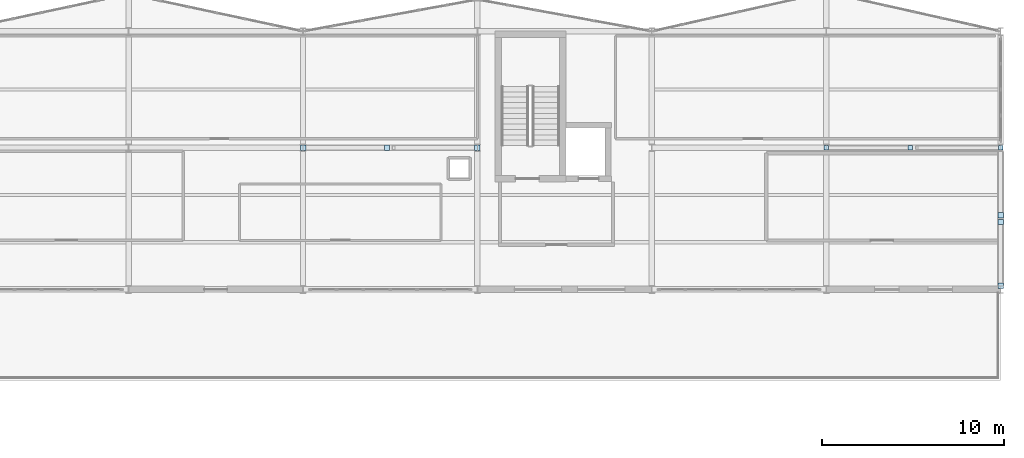
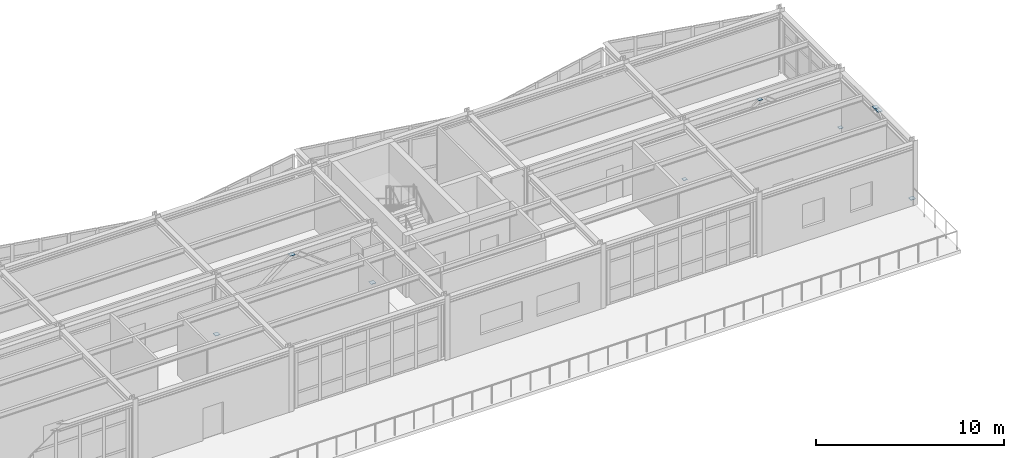
# One storey, part 39 of 47: 9 plates.
"""IFC4 building model written with IfcOpenShell, lengths in metres."""

from ifc_helpers import new_model, si_unit, direction, frame, origin, origin_2d, place, context, subcontext, project, spatial, rectangle, extrude, material, layer, layer_set, type_object, element, save


model = new_model("IFC4")

# Units and contexts
model_context = context("Model", 3, precision=1e-05, world=origin(), true_north=direction((0.0, 1.0)))
body_context = subcontext(model_context, "Body", "Model", "MODEL_VIEW")
ifc_project = project(units=[si_unit("LENGTHUNIT", "METRE"), si_unit("AREAUNIT", "SQUARE_METRE"), si_unit("VOLUMEUNIT", "CUBIC_METRE"), si_unit("PLANEANGLEUNIT", "RADIAN"), si_unit("MASSUNIT", "GRAM", prefix="KILO")], contexts=[model_context])

# Site, building, storey
site_placement = place(None, origin())
site = spatial("IfcSite", under=ifc_project, at=site_placement, CompositionType="ELEMENT")
building_placement = place(site_placement, origin())
building = spatial("IfcBuilding", under=site, at=building_placement, Name="Nordkorset Police Headquarters", CompositionType="ELEMENT")
storey_placement = place(building_placement, frame((0.0, 0.0, 22.050048828125)))
storey = spatial("IfcBuildingStorey", under=building, at=storey_placement, Name="L05", CompositionType="ELEMENT", Elevation=22.050048828125)

# Plates
ifc_material = material(Name="Steel S355J2", Category="steel")
ifc_layer = layer(ifc_material, 0.02001953125, Name="Steel S355J2")
ifc_layer_set = layer_set([ifc_layer], Name="Steel S355J2")
plate_type = type_object("IfcPlateType", Name="SteelPlate_20mm", PredefinedType="SHEET", material=ifc_layer_set)
for number, where, z_axis, x_axis, name in (
    (1, (48.006591796875, 110.39990234375, 0.18994140625), (0.0, 0.0, 1.0), (1.0, 0.0, 0.0), "Hollow Section End Cap Plate BF-V2-A-L05-D1-0"),
    (2, (52.6201171875, 110.39990234375, 3.77001953125), (0.0, 0.0, 1.0), (1.0, 0.0, 0.0), "Hollow Section End Cap Plate BF-V2-A-L05-D1-1"),
    (3, (57.59326171875, 110.39990234375, 0.18994140625), (0.0, 0.0, 1.0), (1.0, 0.0, 0.0), "Hollow Section End Cap Plate BF-V2-A-L05-D2-0"),
):
    element("IfcPlate", number, at=place(storey_placement, frame(where, z_axis=z_axis, x_axis=x_axis)), inside=storey, type_object=plate_type, Name=name, PredefinedType="SHEET", context=body_context, shape_type="SweptSolid", body=[
        extrude(rectangle(XDim=0.2900390625, YDim=0.2900390625, at=origin_2d()), origin(), (0.0, 0.0, 1.0), 0.02001953125),
    ])
for number, where, z_axis, x_axis, name in (
    (4, (76.806640625, 110.39990234375, 0.18994140625), (0.0, 0.0, 1.0), (1.0, 0.0, 0.0), "Hollow Section End Cap Plate BF-V2-B-L05-D1-0"),
    (5, (81.419921875, 110.39990234375, 3.77001953125), (0.0, 0.0, 1.0), (1.0, 0.0, 0.0), "Hollow Section End Cap Plate BF-V2-B-L05-D1-1"),
    (6, (86.393310546875, 110.39990234375, 0.18994140625), (0.0, 0.0, 1.0), (1.0, 0.0, 0.0), "Hollow Section End Cap Plate BF-V2-B-L05-D2-0"),
):
    element("IfcPlate", number, at=place(storey_placement, frame(where, z_axis=z_axis, x_axis=x_axis)), inside=storey, type_object=plate_type, Name=name, PredefinedType="SHEET", context=body_context, shape_type="SweptSolid", body=[
        extrude(rectangle(XDim=0.239990234375, YDim=0.239990234375, at=origin_2d()), origin(), (0.0, 0.0, 1.0), 0.02001953125),
    ])
for number, where, z_axis, x_axis, name in (
    (7, (86.39990234375, 102.800048828125, 0.18994140625), (0.0, 0.0, 1.0), (1.0, 0.0, 0.0), "Hollow Section End Cap Plate BF-EXT-V2E-L05-D1-0"),
    (8, (86.39990234375, 106.320068359375, 3.77001953125), (0.0, 0.0, 1.0), (1.0, 0.0, 0.0), "Hollow Section End Cap Plate BF-EXT-V2E-L05-D1-1"),
    (9, (86.39990234375, 106.679931640625, 3.77001953125), (0.0, 0.0, 1.0), (1.0, 0.0, 0.0), "Hollow Section End Cap Plate BF-EXT-V2E-L05-D2-1"),
):
    element("IfcPlate", number, at=place(storey_placement, frame(where, z_axis=z_axis, x_axis=x_axis)), inside=storey, type_object=plate_type, Name=name, PredefinedType="SHEET", context=body_context, shape_type="SweptSolid", body=[
        extrude(rectangle(XDim=0.2900390625, YDim=0.2900390625, at=origin_2d()), origin(), (0.0, 0.0, 1.0), 0.02001953125),
    ])

save(model, "model.ifc")
